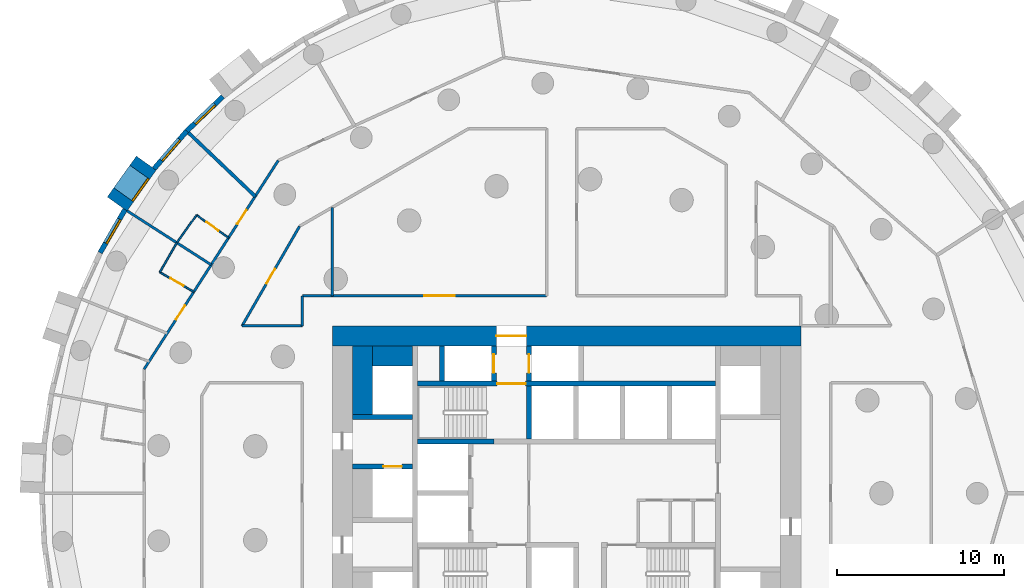
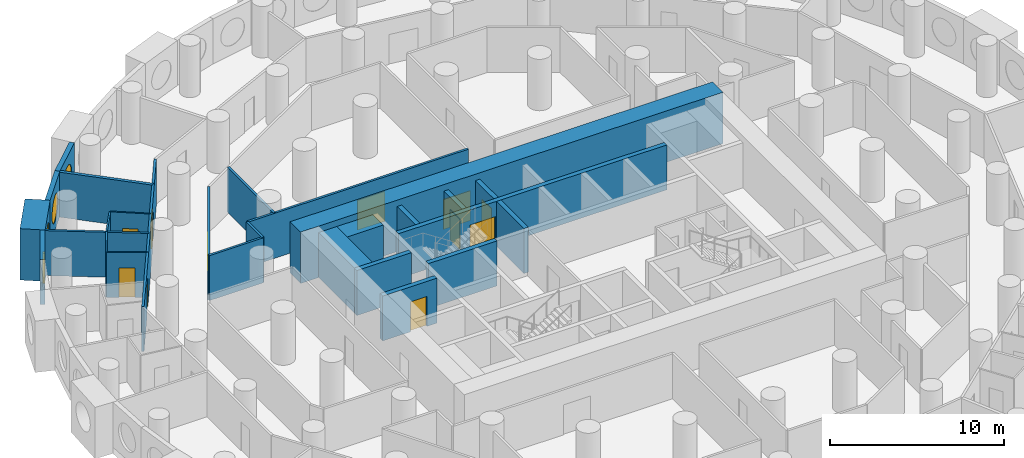
# One storey, part 7 of 11: 27 walls, 11 doors, 4 windows, 15 openings.
"""IFC4 building model written with IfcOpenShell, lengths in metres."""

from ifc_helpers import new_model, si_unit, direction, frame, frame_2d, origin, origin_2d, place, context, subcontext, project, spatial, rectangle, circle, extrude, material, layer, layer_set, type_object, element, fill, save


model = new_model("IFC4")

# Units and contexts
model_context = context("Model", 3, precision=1e-05, world=origin(), true_north=direction((0.0, 1.0)))
body_context = subcontext(model_context, "Body", "Model", "MODEL_VIEW")
ifc_project = project(units=[si_unit("LENGTHUNIT", "METRE"), si_unit("AREAUNIT", "SQUARE_METRE"), si_unit("VOLUMEUNIT", "CUBIC_METRE"), si_unit("PLANEANGLEUNIT", "RADIAN"), si_unit("MASSUNIT", "GRAM", prefix="KILO")], contexts=[model_context])

# Site, building, storey
site_placement = place(None, origin())
site = spatial("IfcSite", under=ifc_project, at=site_placement, CompositionType="ELEMENT")
building_placement = place(site_placement, origin())
building = spatial("IfcBuilding", under=site, at=building_placement, Name="Tracery Tower", CompositionType="ELEMENT")
storey_placement = place(building_placement, frame((0.0, 0.0, 67.800048828125)))
storey = spatial("IfcBuildingStorey", under=building, at=storey_placement, Name="L16", CompositionType="ELEMENT", Elevation=67.800048828125)

# Walls
ifc_material_1 = material(Name="Concrete C60/75", Category="concrete")
ifc_layer_1 = layer(ifc_material_1, 1.199951171875)
ifc_layer_set_1 = layer_set([ifc_layer_1], Name="Core strip wall 1200 C60")
wall_type_1 = type_object("IfcWallType", Name="Core strip wall 1200 C60", PredefinedType="SOLIDWALL", material=ifc_layer_set_1)
wall_1_placement = place(storey_placement, frame((-12.199951171875, 4.699951171875, 0.0), z_axis=(0.0, 0.0, 1.0), x_axis=(0.0, 1.0, 0.0)))
element("IfcWall", 1, at=wall_1_placement, inside=storey, type_object=wall_type_1, Name="L16 wing strip -1 4.55", PredefinedType="SOLIDWALL", context=body_context, shape_type="SweptSolid", body=[
    extrude(rectangle(XDim=4.10009765625, YDim=1.199951171875, at=frame_2d((2.050048828125, 0.0))), origin(), (0.0, 0.0, 1.0), 3.14990234375),
])
wall_2_placement = place(storey_placement, frame((-11.60009765625, 8.199951171875, 0.0), z_axis=(0.0, 0.0, 1.0), x_axis=(1.0, 0.0, 0.0)))
element("IfcWall", 2, at=wall_2_placement, inside=storey, type_object=wall_type_1, Name="L16 wing corner -1 +8.2", PredefinedType="SOLIDWALL", context=body_context, shape_type="SweptSolid", body=[
    extrude(rectangle(XDim=2.400146484375, YDim=1.199951171875, at=frame_2d((1.2001953125, 0.0))), origin(), (0.0, 0.0, 1.0), 3.14990234375),
])

# Wall, opening, door
ifc_material_2 = material(Name="Concrete C60/75", Category="concrete")
ifc_layer_2 = layer(ifc_material_2, 1.199951171875)
ifc_layer_set_2 = layer_set([ifc_layer_2], Name="Core wall 1200 C60")
wall_type_2 = type_object("IfcWallType", Name="Core wall 1200 C60", PredefinedType="SOLIDWALL", material=ifc_layer_set_2)
wall_3_placement = place(storey_placement, frame((-14.0, 9.39990234375, 0.0), z_axis=(0.0, 0.0, 1.0), x_axis=(1.0, 0.0, 0.0)))
wall_3 = element("IfcWall", 3, at=wall_3_placement, inside=storey, type_object=wall_type_2, Name="L16 outer N", PredefinedType="SOLIDWALL", context=body_context, shape_type="SweptSolid", body=[
    extrude(rectangle(XDim=28.0, YDim=1.199951171875, at=frame_2d((14.0, 0.0))), origin(), (0.0, 0.0, 1.0), 3.599853515625),
])
opening_1_placement = place(wall_3_placement, frame((9.800048828125, 0.0, 0.0)))
opening_1 = element("IfcOpeningElement", 4, at=opening_1_placement, cuts=wall_3, Name="Opening KD13", PredefinedType="OPENING", context=body_context, shape_type="SweptSolid", body=[
    extrude(rectangle(XDim=1.800048828125, YDim=2.10009765625, at=frame_2d((0.89990234375, 1.050048828125))), frame((0.0, 0.60009765625, 0.0), z_axis=(0.0, -1.0, 0.0), x_axis=(1.0, 0.0, 0.0)), (0.0, 0.0, 1.0), 1.199951171875),
])
ifc_material_3 = material(Name="Steel fire door", Category="steel")
door_type_1 = type_object("IfcDoorType", Name="Core exit door 1800 double", OperationType="NOTDEFINED", PredefinedType="DOOR", material=ifc_material_3)
door_1_placement = place(opening_1_placement, origin())
door_1 = element("IfcDoor", 5, at=door_1_placement, inside=storey, type_object=door_type_1, Name="Core exit door", OperationType="DOUBLE_DOOR_SINGLE_SWING", OverallHeight=2.10009765625, OverallWidth=1.800048828125, PredefinedType="DOOR", context=body_context, shape_type="SweptSolid", body=[
    extrude(rectangle(XDim=1.800048828125, YDim=2.10009765625, at=frame_2d((0.89990234375, 1.050048828125))), frame((0.0, 0.02490234375, 0.0), z_axis=(0.0, -1.0, 0.0), x_axis=(1.0, 0.0, 0.0)), (0.0, 0.0, 1.0), 0.050048828125),
])
fill(opening_1, door_1)

# Wall, opening, window
ifc_material_4 = material(Name="Precast concrete C50/60", Category="concrete")
ifc_layer_3 = layer(ifc_material_4, 1.449951171875)
ifc_layer_set_3 = layer_set([ifc_layer_3], Name="Deep-set bay unit 3000 x 3600, slab edge 450")
wall_type_3 = type_object("IfcWallType", Name="Deep-set bay unit 3000 x 3600, slab edge 450", PredefinedType="ELEMENTEDWALL", material=ifc_layer_set_3)
wall_4_placement = place(storey_placement, frame((-25.126220703125, 19.733642578125, -0.449951171875), z_axis=(0.0, 0.0, 1.0), x_axis=(-0.580090570606, -0.814551981088, 0.0)))
wall_4 = element("IfcWall", 6, at=wall_4_placement, inside=storey, type_object=wall_type_3, Name="Deep-set bay unit 27 at L16", PredefinedType="ELEMENTEDWALL", context=body_context, shape_type="SweptSolid", body=[
    extrude(rectangle(XDim=3.0, YDim=1.449951171875, at=frame_2d((1.5, 0.0))), origin(), (0.0, 0.0, 1.0), 3.599853515625),
])
opening_2_placement = place(wall_4_placement, frame((1.5, 0.0, 2.0)))
opening_2 = element("IfcOpeningElement", 7, at=opening_2_placement, cuts=wall_4, Name="Opening WN1", PredefinedType="OPENING", context=body_context, shape_type="SweptSolid", body=[
    extrude(circle(Radius=0.9000244140625, at=origin_2d()), frame((0.0, 0.73486328125, 0.0), z_axis=(0.0, -1.0, 0.0), x_axis=(1.0, 0.0, 0.0)), (0.0, 0.0, 1.0), 1.469970703125),
])
ifc_material_5 = material(Name="Aluminium frame with tinted double glazing", Category="aluminium")
window_type = type_object("IfcWindowType", Name="Round window 1800", PartitioningType="SINGLE_PANEL", PredefinedType="WINDOW", material=ifc_material_5)
window_1_placement = place(opening_2_placement, origin())
window_1 = element("IfcWindow", 8, at=window_1_placement, inside=storey, type_object=window_type, Name="Round window 27 at L16", OverallHeight=1.800048828125, OverallWidth=1.800048828125, PartitioningType="SINGLE_PANEL", PredefinedType="WINDOW", context=body_context, shape_type="SweptSolid", body=[
    extrude(circle(Radius=0.9000244140625, at=origin_2d()), frame((0.0, 0.69482421875, 0.0), z_axis=(0.0, -1.0, 0.0), x_axis=(1.0, 0.0, 0.0)), (0.0, 0.0, 1.0), 0.10009765625),
])
fill(opening_2, window_1)

ifc_material_6 = material(Name="Precast concrete C50/60", Category="concrete")
ifc_layer_4 = layer(ifc_material_6, 0.300048828125)
ifc_layer_set_4 = layer_set([ifc_layer_4], Name="Facade panel 3000 x 3150")
wall_type_4 = type_object("IfcWallType", Name="Facade panel 3000 x 3150", PredefinedType="SOLIDWALL", material=ifc_layer_set_4)
wall_5_placement = place(storey_placement, frame((-20.55029296875, 23.70703125, 0.0), z_axis=(0.0, 0.0, 1.0), x_axis=(-0.723744206617, -0.690068346896, 0.0)))
wall_5 = element("IfcWall", 9, at=wall_5_placement, inside=storey, type_object=wall_type_4, Name="Facade panel 25 at L16", PredefinedType="SOLIDWALL", context=body_context, shape_type="SweptSolid", body=[
    extrude(rectangle(XDim=2.979736328125, YDim=0.300048828125, at=frame_2d((1.48974609375, 0.0))), origin(), (0.0, 0.0, 1.0), 3.14990234375),
])
opening_3_placement = place(wall_5_placement, frame((1.48974609375, 0.0, 1.5498046875)))
opening_3 = element("IfcOpeningElement", 10, at=opening_3_placement, cuts=wall_5, Name="Opening WN1", PredefinedType="OPENING", context=body_context, shape_type="SweptSolid", body=[
    extrude(circle(Radius=0.9000244140625, at=origin_2d()), frame((0.0, 0.159912109375, 0.0), z_axis=(0.0, -1.0, 0.0), x_axis=(1.0, 0.0, 0.0)), (0.0, 0.0, 1.0), 0.320068359375),
])
window_2_placement = place(opening_3_placement, origin())
window_2 = element("IfcWindow", 11, at=window_2_placement, inside=storey, type_object=window_type, Name="Round window 25 at L16", OverallHeight=1.800048828125, OverallWidth=1.800048828125, PartitioningType="SINGLE_PANEL", PredefinedType="WINDOW", context=body_context, shape_type="SweptSolid", body=[
    extrude(circle(Radius=0.9000244140625, at=origin_2d()), frame((0.0, 0.1201171875, 0.0), z_axis=(0.0, -1.0, 0.0), x_axis=(1.0, 0.0, 0.0)), (0.0, 0.0, 1.0), 0.10009765625),
])
fill(opening_3, window_2)

wall_6_placement = place(storey_placement, frame((-22.706787109375, 21.65087890625, 0.0), z_axis=(0.0, 0.0, 1.0), x_axis=(-0.654830712471, -0.755775587066, 0.0)))
wall_6 = element("IfcWall", 12, at=wall_6_placement, inside=storey, type_object=wall_type_4, Name="Facade panel 26 at L16", PredefinedType="SOLIDWALL", context=body_context, shape_type="SweptSolid", body=[
    extrude(rectangle(XDim=2.979736328125, YDim=0.300048828125, at=frame_2d((1.48974609375, 0.0))), origin(), (0.0, 0.0, 1.0), 3.14990234375),
])
opening_4_placement = place(wall_6_placement, frame((1.48974609375, 0.0, 1.5498046875)))
opening_4 = element("IfcOpeningElement", 13, at=opening_4_placement, cuts=wall_6, Name="Opening WN1", PredefinedType="OPENING", context=body_context, shape_type="SweptSolid", body=[
    extrude(circle(Radius=0.9000244140625, at=origin_2d()), frame((0.0, 0.159912109375, 0.0), z_axis=(0.0, -1.0, 0.0), x_axis=(1.0, 0.0, 0.0)), (0.0, 0.0, 1.0), 0.320068359375),
])
window_3_placement = place(opening_4_placement, origin())
window_3 = element("IfcWindow", 14, at=window_3_placement, inside=storey, type_object=window_type, Name="Round window 26 at L16", OverallHeight=1.800048828125, OverallWidth=1.800048828125, PartitioningType="SINGLE_PANEL", PredefinedType="WINDOW", context=body_context, shape_type="SweptSolid", body=[
    extrude(circle(Radius=0.9000244140625, at=origin_2d()), frame((0.0, 0.1201171875, 0.0), z_axis=(0.0, -1.0, 0.0), x_axis=(1.0, 0.0, 0.0)), (0.0, 0.0, 1.0), 0.10009765625),
])
fill(opening_4, window_3)

wall_7_placement = place(storey_placement, frame((-26.39697265625, 16.95703125, 0.0), z_axis=(0.0, 0.0, 1.0), x_axis=(-0.499999078476, -0.866025935826, 0.0)))
wall_7 = element("IfcWall", 15, at=wall_7_placement, inside=storey, type_object=wall_type_4, Name="Facade panel 28 at L16", PredefinedType="SOLIDWALL", context=body_context, shape_type="SweptSolid", body=[
    extrude(rectangle(XDim=2.9794921875, YDim=0.300048828125, at=frame_2d((1.48974609375, 0.0))), origin(), (0.0, 0.0, 1.0), 3.14990234375),
])
opening_5_placement = place(wall_7_placement, frame((1.48974609375, 0.0, 1.5498046875)))
opening_5 = element("IfcOpeningElement", 16, at=opening_5_placement, cuts=wall_7, Name="Opening WN1", PredefinedType="OPENING", context=body_context, shape_type="SweptSolid", body=[
    extrude(circle(Radius=0.9000244140625, at=origin_2d()), frame((0.0, 0.159912109375, 0.0), z_axis=(0.0, -1.0, 0.0), x_axis=(1.0, 0.0, 0.0)), (0.0, 0.0, 1.0), 0.320068359375),
])
window_4_placement = place(opening_5_placement, origin())
window_4 = element("IfcWindow", 17, at=window_4_placement, inside=storey, type_object=window_type, Name="Round window 28 at L16", OverallHeight=1.800048828125, OverallWidth=1.800048828125, PartitioningType="SINGLE_PANEL", PredefinedType="WINDOW", context=body_context, shape_type="SweptSolid", body=[
    extrude(circle(Radius=0.9000244140625, at=origin_2d()), frame((0.0, 0.1201171875, 0.0), z_axis=(0.0, -1.0, 0.0), x_axis=(1.0, 0.0, 0.0)), (0.0, 0.0, 1.0), 0.10009765625),
])
fill(opening_5, window_4)

# Wall, opening, door
ifc_material_7 = material(Name="Plasterboard on steel studs", Category="steel")
ifc_layer_5 = layer(ifc_material_7, 0.10009765625)
ifc_layer_set_5 = layer_set([ifc_layer_5], Name="Partition 100 wet wall")
wall_type_5 = type_object("IfcWallType", Name="Partition 100 wet wall", PredefinedType="PARTITIONING", material=ifc_layer_set_5)
wall_8_placement = place(storey_placement, frame((-22.118896484375, 16.6279296875, 0.0), z_axis=(0.0, 0.0, 1.0), x_axis=(0.814498780807, -0.580165266165, 0.0)))
wall_8 = element("IfcWall", 18, at=wall_8_placement, inside=storey, type_object=wall_type_5, Name="Wet wall RA4-071", PredefinedType="PARTITIONING", context=body_context, shape_type="SweptSolid", body=[
    extrude(rectangle(XDim=2.347412109375, YDim=0.10009765625, at=frame_2d((1.173828125, 0.0))), origin(), (0.0, 0.0, 1.0), 3.14990234375),
])
opening_6_placement = place(wall_8_placement, frame((0.723388671875, 0.0, 0.0)))
opening_6 = element("IfcOpeningElement", 19, at=opening_6_placement, cuts=wall_8, Name="Opening RA4-18", PredefinedType="OPENING", context=body_context, shape_type="SweptSolid", body=[
    extrude(rectangle(XDim=0.89990234375, YDim=2.0400390625, at=frame_2d((0.449951171875, 1.02001953125))), frame((0.0, 0.050048828125, 0.0), z_axis=(0.0, -1.0, 0.0), x_axis=(1.0, 0.0, 0.0)), (0.0, 0.0, 1.0), 0.10009765625),
])
ifc_material_8 = material(Name="Timber door leaf", Category="wood")
door_type_2 = type_object("IfcDoorType", Name="Door en-suite 900", OperationType="NOTDEFINED", PredefinedType="DOOR", material=ifc_material_8)
door_2_placement = place(opening_6_placement, origin())
door_2 = element("IfcDoor", 20, at=door_2_placement, inside=storey, type_object=door_type_2, Name="En-suite door RA4-18", OperationType="SINGLE_SWING_RIGHT", OverallHeight=2.0400390625, OverallWidth=0.89990234375, PredefinedType="DOOR", context=body_context, shape_type="SweptSolid", body=[
    extrude(rectangle(XDim=0.89990234375, YDim=2.0400390625, at=frame_2d((0.449951171875, 1.02001953125))), frame((0.0, 0.02490234375, 0.0), z_axis=(0.0, -1.0, 0.0), x_axis=(1.0, 0.0, 0.0)), (0.0, 0.0, 1.0), 0.050048828125),
])
fill(opening_6, door_2)

# Walls
for number, where, z_axis, x_axis, name in (
    (21, (-23.298095703125, 14.972900390625, 0.0), (0.0, 0.0, 1.0), (0.580271800959, 0.81442288586, 0.0), "Wet wall RA4-072"),
    (22, (-24.31396484375, 13.212890625, 0.0), (0.0, 0.0, 1.0), (0.499899251727, 0.866083563014, 0.0), "Wet wall RA4-074"),
):
    element("IfcWall", number, at=place(storey_placement, frame(where, z_axis=z_axis, x_axis=x_axis)), inside=storey, type_object=wall_type_5, Name=name, PredefinedType="PARTITIONING", context=body_context, shape_type="SweptSolid", body=[
        extrude(rectangle(XDim=2.0322265625, YDim=0.10009765625, at=frame_2d((1.01611328125, 0.0))), origin(), (0.0, 0.0, 1.0), 3.14990234375),
    ])

# Wall, opening, door
wall_9_placement = place(storey_placement, frame((-24.31396484375, 13.212890625, 0.0), z_axis=(0.0, 0.0, 1.0), x_axis=(0.866007195875, -0.500031535699, 0.0)))
wall_9 = element("IfcWall", 23, at=wall_9_placement, inside=storey, type_object=wall_type_5, Name="Wet wall RA4-075", PredefinedType="PARTITIONING", context=body_context, shape_type="SweptSolid", body=[
    extrude(rectangle(XDim=2.347412109375, YDim=0.10009765625, at=frame_2d((1.173828125, 0.0))), origin(), (0.0, 0.0, 1.0), 3.14990234375),
])
opening_7_placement = place(wall_9_placement, frame((0.72412109375, 0.0, 0.0)))
opening_7 = element("IfcOpeningElement", 24, at=opening_7_placement, cuts=wall_9, Name="Opening RA4-20", PredefinedType="OPENING", context=body_context, shape_type="SweptSolid", body=[
    extrude(rectangle(XDim=0.89990234375, YDim=2.0400390625, at=frame_2d((0.449951171875, 1.02001953125))), frame((0.0, 0.050048828125, 0.0), z_axis=(0.0, -1.0, 0.0), x_axis=(1.0, 0.0, 0.0)), (0.0, 0.0, 1.0), 0.10009765625),
])
door_3_placement = place(opening_7_placement, origin())
door_3 = element("IfcDoor", 25, at=door_3_placement, inside=storey, type_object=door_type_2, Name="En-suite door RA4-20", OperationType="SINGLE_SWING_RIGHT", OverallHeight=2.0400390625, OverallWidth=0.89990234375, PredefinedType="DOOR", context=body_context, shape_type="SweptSolid", body=[
    extrude(rectangle(XDim=0.89990234375, YDim=2.0400390625, at=frame_2d((0.449951171875, 1.02001953125))), frame((0.0, 0.02490234375, 0.0), z_axis=(0.0, -1.0, 0.0), x_axis=(1.0, 0.0, 0.0)), (0.0, 0.0, 1.0), 0.050048828125),
])
fill(opening_7, door_3)

# Walls
ifc_material_9 = material(Name="Plasterboard on steel studs", Category="steel")
ifc_layer_6 = layer(ifc_material_9, 0.14990234375)
ifc_layer_set_6 = layer_set([ifc_layer_6], Name="Partition 150 acoustic unit wall")
wall_type_6 = type_object("IfcWallType", Name="Partition 150 acoustic unit wall", PredefinedType="PARTITIONING", material=ifc_layer_set_6)
wall_10_placement = place(storey_placement, frame((-14.0, 11.800048828125, 0.0), z_axis=(0.0, 0.0, 1.0), x_axis=(0.0, 1.0, 0.0)))
element("IfcWall", 26, at=wall_10_placement, inside=storey, type_object=wall_type_6, Name="Unit wall RA4-061", PredefinedType="PARTITIONING", context=body_context, shape_type="SweptSolid", body=[
    extrude(rectangle(XDim=5.2919921875, YDim=0.14990234375, at=frame_2d((2.64599609375, 0.0))), origin(), (0.0, 0.0, 1.0), 3.14990234375),
])
wall_11_placement = place(storey_placement, frame((-26.26806640625, 16.881103515625, 0.0), z_axis=(0.0, 0.0, 1.0), x_axis=(0.841333855553, -0.540515812443, 0.0)))
element("IfcWall", 27, at=wall_11_placement, inside=storey, type_object=wall_type_6, Name="Unit wall RA4-073", PredefinedType="PARTITIONING", context=body_context, shape_type="SweptSolid", body=[
    extrude(rectangle(XDim=5.9716796875, YDim=0.14990234375, at=frame_2d((2.98583984375, 0.0))), origin(), (0.0, 0.0, 1.0), 3.14990234375),
])

# Wall, opening, door
ifc_material_10 = material(Name="Plasterboard on steel studs", Category="steel")
ifc_layer_7 = layer(ifc_material_10, 0.14990234375)
ifc_layer_set_7 = layer_set([ifc_layer_7], Name="Partition 150 corridor wall")
wall_type_7 = type_object("IfcWallType", Name="Partition 150 corridor wall", PredefinedType="PARTITIONING", material=ifc_layer_set_7)
wall_12_placement = place(storey_placement, frame((-15.800048828125, 11.800048828125, 0.0), z_axis=(0.0, 0.0, 1.0), x_axis=(1.0, 0.0, 0.0)))
wall_12 = element("IfcWall", 28, at=wall_12_placement, inside=storey, type_object=wall_type_7, Name="Corridor wall RA4-001", PredefinedType="PARTITIONING", context=body_context, shape_type="SweptSolid", body=[
    extrude(rectangle(XDim=14.612060546875, YDim=0.14990234375, at=frame_2d((7.30615234375, 0.0))), origin(), (0.0, 0.0, 1.0), 3.14990234375),
])
opening_8_placement = place(wall_12_placement, frame((7.303955078125, 0.0, 0.0)))
opening_8 = element("IfcOpeningElement", 29, at=opening_8_placement, cuts=wall_12, Name="Opening RA4-01", PredefinedType="OPENING", context=body_context, shape_type="SweptSolid", body=[
    extrude(rectangle(XDim=1.800048828125, YDim=2.10009765625, at=frame_2d((0.89990234375, 1.050048828125))), frame((0.0, 0.074951171875, 0.0), z_axis=(0.0, -1.0, 0.0), x_axis=(1.0, 0.0, 0.0)), (0.0, 0.0, 1.0), 0.14990234375),
])
ifc_material_11 = material(Name="Timber door leaf", Category="wood")
door_type_3 = type_object("IfcDoorType", Name="Door double lounge 1800", OperationType="NOTDEFINED", PredefinedType="DOOR", material=ifc_material_11)
door_4_placement = place(opening_8_placement, origin())
door_4 = element("IfcDoor", 30, at=door_4_placement, inside=storey, type_object=door_type_3, Name="Double lounge door RA4-01", OperationType="DOUBLE_DOOR_SINGLE_SWING", OverallHeight=2.10009765625, OverallWidth=1.800048828125, PredefinedType="DOOR", context=body_context, shape_type="SweptSolid", body=[
    extrude(rectangle(XDim=1.800048828125, YDim=2.10009765625, at=frame_2d((0.89990234375, 1.050048828125))), frame((0.0, 0.02490234375, 0.0), z_axis=(0.0, -1.0, 0.0), x_axis=(1.0, 0.0, 0.0)), (0.0, 0.0, 1.0), 0.050048828125),
])
fill(opening_8, door_4)

# Wall
wall_13_placement = place(storey_placement, frame((-15.800048828125, 10.0, 0.0), z_axis=(0.0, 0.0, 1.0), x_axis=(0.0, 1.0, 0.0)))
element("IfcWall", 31, at=wall_13_placement, inside=storey, type_object=wall_type_7, Name="Corridor wall RA4-005", PredefinedType="PARTITIONING", context=body_context, shape_type="SweptSolid", body=[
    extrude(rectangle(XDim=1.800048828125, YDim=0.14990234375, at=frame_2d((0.89990234375, 0.0))), origin(), (0.0, 0.0, 1.0), 3.14990234375),
])

# Wall, openings, doors
wall_14_placement = place(storey_placement, frame((-25.2548828125, 7.416259765625, 0.0), z_axis=(0.0, 0.0, 1.0), x_axis=(0.540805851332, 0.841147449123, 0.0)))
wall_14 = element("IfcWall", 32, at=wall_14_placement, inside=storey, type_object=wall_type_7, Name="Corridor wall RA4-037", PredefinedType="PARTITIONING", context=body_context, shape_type="SweptSolid", body=[
    extrude(rectangle(XDim=14.829345703125, YDim=0.14990234375, at=frame_2d((7.41455078125, 0.0))), origin(), (0.0, 0.0, 1.0), 3.14990234375),
])
opening_9_placement = place(wall_14_placement, frame((10.30712890625, 0.0, 0.0)))
opening_9 = element("IfcOpeningElement", 33, at=opening_9_placement, cuts=wall_14, Name="Opening RA4-19", PredefinedType="OPENING", context=body_context, shape_type="SweptSolid", body=[
    extrude(rectangle(XDim=1.0, YDim=2.10009765625, at=frame_2d((0.5, 1.050048828125))), frame((0.0, 0.074951171875, 0.0), z_axis=(0.0, -1.0, 0.0), x_axis=(1.0, 0.0, 0.0)), (0.0, 0.0, 1.0), 0.14990234375),
])
opening_10_placement = place(wall_14_placement, frame((3.521728515625, 0.0, 0.0)))
opening_10 = element("IfcOpeningElement", 34, at=opening_10_placement, cuts=wall_14, Name="Opening RA4-21", PredefinedType="OPENING", context=body_context, shape_type="SweptSolid", body=[
    extrude(rectangle(XDim=1.0, YDim=2.10009765625, at=frame_2d((0.5, 1.050048828125))), frame((0.0, 0.074951171875, 0.0), z_axis=(0.0, -1.0, 0.0), x_axis=(1.0, 0.0, 0.0)), (0.0, 0.0, 1.0), 0.14990234375),
])
ifc_material_12 = material(Name="Timber door leaf", Category="wood")
door_type_4 = type_object("IfcDoorType", Name="Door unit entrance 1000", OperationType="NOTDEFINED", PredefinedType="DOOR", material=ifc_material_12)
door_5_placement = place(opening_9_placement, origin())
door_5 = element("IfcDoor", 35, at=door_5_placement, inside=storey, type_object=door_type_4, Name="Unit entrance door RA4-19", OperationType="SINGLE_SWING_LEFT", OverallHeight=2.10009765625, OverallWidth=1.0, PredefinedType="DOOR", context=body_context, shape_type="SweptSolid", body=[
    extrude(rectangle(XDim=1.0, YDim=2.10009765625, at=frame_2d((0.5, 1.050048828125))), frame((0.0, 0.02490234375, 0.0), z_axis=(0.0, -1.0, 0.0), x_axis=(1.0, 0.0, 0.0)), (0.0, 0.0, 1.0), 0.050048828125),
])
fill(opening_9, door_5)
door_6_placement = place(opening_10_placement, origin())
door_6 = element("IfcDoor", 36, at=door_6_placement, inside=storey, type_object=door_type_4, Name="Unit entrance door RA4-21", OperationType="SINGLE_SWING_LEFT", OverallHeight=2.10009765625, OverallWidth=1.0, PredefinedType="DOOR", context=body_context, shape_type="SweptSolid", body=[
    extrude(rectangle(XDim=1.0, YDim=2.10009765625, at=frame_2d((0.5, 1.050048828125))), frame((0.0, 0.02490234375, 0.0), z_axis=(0.0, -1.0, 0.0), x_axis=(1.0, 0.0, 0.0)), (0.0, 0.0, 1.0), 0.050048828125),
])
fill(opening_10, door_6)

# Wall, opening, door
wall_15_placement = place(storey_placement, frame((-19.40087890625, 10.0, 0.0), z_axis=(0.0, 0.0, 1.0), x_axis=(0.499992689227, 0.86602962462, 0.0)))
wall_15 = element("IfcWall", 37, at=wall_15_placement, inside=storey, type_object=wall_type_7, Name="Corridor wall RA4-043", PredefinedType="PARTITIONING", context=body_context, shape_type="SweptSolid", body=[
    extrude(rectangle(XDim=6.8818359375, YDim=0.14990234375, at=frame_2d((3.44091796875, 0.0))), origin(), (0.0, 0.0, 1.0), 3.14990234375),
])
opening_11_placement = place(wall_15_placement, frame((2.94091796875, 0.0, 0.0)))
opening_11 = element("IfcOpeningElement", 38, at=opening_11_placement, cuts=wall_15, Name="Opening RA4-11", PredefinedType="OPENING", context=body_context, shape_type="SweptSolid", body=[
    extrude(rectangle(XDim=1.0, YDim=2.0400390625, at=frame_2d((0.5, 1.02001953125))), frame((0.0, 0.074951171875, 0.0), z_axis=(0.0, -1.0, 0.0), x_axis=(1.0, 0.0, 0.0)), (0.0, 0.0, 1.0), 0.14990234375),
])
ifc_material_13 = material(Name="Timber door leaf", Category="wood")
door_type_5 = type_object("IfcDoorType", Name="Door communal room 1000", OperationType="NOTDEFINED", PredefinedType="DOOR", material=ifc_material_13)
door_7_placement = place(opening_11_placement, origin())
door_7 = element("IfcDoor", 39, at=door_7_placement, inside=storey, type_object=door_type_5, Name="Communal room door RA4-11", OperationType="SINGLE_SWING_LEFT", OverallHeight=2.0400390625, OverallWidth=1.0, PredefinedType="DOOR", context=body_context, shape_type="SweptSolid", body=[
    extrude(rectangle(XDim=1.0, YDim=2.0400390625, at=frame_2d((0.5, 1.02001953125))), frame((0.0, 0.02490234375, 0.0), z_axis=(0.0, -1.0, 0.0), x_axis=(1.0, 0.0, 0.0)), (0.0, 0.0, 1.0), 0.050048828125),
])
fill(opening_11, door_7)

# Walls
wall_16_placement = place(storey_placement, frame((-19.40087890625, 10.0, 0.0), z_axis=(0.0, 0.0, 1.0), x_axis=(1.0, 0.0, 0.0)))
element("IfcWall", 40, at=wall_16_placement, inside=storey, type_object=wall_type_7, Name="Corridor wall RA4-044", PredefinedType="PARTITIONING", context=body_context, shape_type="SweptSolid", body=[
    extrude(rectangle(XDim=3.600830078125, YDim=0.14990234375, at=frame_2d((1.80029296875, 0.0))), origin(), (0.0, 0.0, 1.0), 3.14990234375),
])
ifc_material_14 = material(Name="Plasterboard on steel studs", Category="steel")
ifc_layer_8 = layer(ifc_material_14, 0.199951171875)
ifc_layer_set_8 = layer_set([ifc_layer_8], Name="Partition 200 compartment wall")
wall_type_8 = type_object("IfcWallType", Name="Partition 200 compartment wall", PredefinedType="PARTITIONING", material=ifc_layer_set_8)
wall_17_placement = place(storey_placement, frame((-22.597900390625, 21.547119140625, 0.0), z_axis=(0.0, 0.0, 1.0), x_axis=(0.723689650329, -0.690125561044, 0.0)))
element("IfcWall", 41, at=wall_17_placement, inside=storey, type_object=wall_type_8, Name="Compartment wall RA4-070", PredefinedType="PARTITIONING", context=body_context, shape_type="SweptSolid", body=[
    extrude(rectangle(XDim=5.50634765625, YDim=0.199951171875, at=frame_2d((2.753173828125, 0.0))), origin(), (0.0, 0.0, 1.0), 3.14990234375),
])
ifc_material_15 = material(Name="Concrete C60/75", Category="concrete")
ifc_layer_9 = layer(ifc_material_15, 0.300048828125)
ifc_layer_set_9 = layer_set([ifc_layer_9], Name="Shaft wall 300 C60")
wall_type_9 = type_object("IfcWallType", Name="Shaft wall 300 C60", PredefinedType="SOLIDWALL", material=ifc_layer_set_9)
wall_18_placement = place(storey_placement, frame((-7.449951171875, 6.699951171875, 0.0), z_axis=(0.0, 0.0, 1.0), x_axis=(0.0, 1.0, 0.0)))
element("IfcWall", 42, at=wall_18_placement, inside=storey, type_object=wall_type_9, Name="L16 LR sep -7.45", PredefinedType="SOLIDWALL", context=body_context, shape_type="SweptSolid", body=[
    extrude(rectangle(XDim=2.10009765625, YDim=0.300048828125, at=frame_2d((1.050048828125, 0.0))), origin(), (0.0, 0.0, 1.0), 3.14990234375),
])

# Wall, opening, door
wall_19_placement = place(storey_placement, frame((-4.35009765625, 6.699951171875, 0.0), z_axis=(0.0, 0.0, 1.0), x_axis=(0.0, 1.0, 0.0)))
wall_19 = element("IfcWall", 43, at=wall_19_placement, inside=storey, type_object=wall_type_9, Name="L16 LR sep -4.35", PredefinedType="SOLIDWALL", context=body_context, shape_type="SweptSolid", body=[
    extrude(rectangle(XDim=2.10009765625, YDim=0.300048828125, at=frame_2d((1.050048828125, 0.0))), origin(), (0.0, 0.0, 1.0), 3.14990234375),
])
opening_12_placement = place(wall_19_placement, frame((0.5, 0.0, 0.0)))
opening_12 = element("IfcOpeningElement", 44, at=opening_12_placement, cuts=wall_19, Name="Opening KD50", PredefinedType="OPENING", context=body_context, shape_type="SweptSolid", body=[
    extrude(rectangle(XDim=1.10009765625, YDim=2.10009765625, at=frame_2d((0.550048828125, 1.050048828125))), frame((0.0, 0.14990234375, 0.0), z_axis=(0.0, -1.0, 0.0), x_axis=(1.0, 0.0, 0.0)), (0.0, 0.0, 1.0), 0.300048828125),
])
ifc_material_16 = material(Name="Steel fire door", Category="steel")
door_type_6 = type_object("IfcDoorType", Name="Landing door 1100", OperationType="NOTDEFINED", PredefinedType="DOOR", material=ifc_material_16)
door_8_placement = place(opening_12_placement, origin())
door_8 = element("IfcDoor", 45, at=door_8_placement, inside=storey, type_object=door_type_6, Name="Landing door LR3", OperationType="SLIDING_TO_RIGHT", OverallHeight=2.10009765625, OverallWidth=1.10009765625, PredefinedType="DOOR", context=body_context, shape_type="SweptSolid", body=[
    extrude(rectangle(XDim=1.10009765625, YDim=2.10009765625, at=frame_2d((0.550048828125, 1.050048828125))), frame((0.0, 0.02490234375, 0.0), z_axis=(0.0, -1.0, 0.0), x_axis=(1.0, 0.0, 0.0)), (0.0, 0.0, 1.0), 0.050048828125),
])
fill(opening_12, door_8)

# Wall
wall_20_placement = place(storey_placement, frame((-12.800048828125, 4.550048828125, 0.0), z_axis=(0.0, 0.0, 1.0), x_axis=(1.0, 0.0, 0.0)))
element("IfcWall", 46, at=wall_20_placement, inside=storey, type_object=wall_type_9, Name="L16 wing shaft wall -1 +4.55", PredefinedType="SOLIDWALL", context=body_context, shape_type="SweptSolid", body=[
    extrude(rectangle(XDim=3.60009765625, YDim=0.300048828125, at=frame_2d((1.800048828125, 0.0))), origin(), (0.0, 0.0, 1.0), 3.14990234375),
])

# Wall, opening, door
wall_21_placement = place(storey_placement, frame((-12.800048828125, 1.60009765625, 0.0), z_axis=(0.0, 0.0, 1.0), x_axis=(1.0, 0.0, 0.0)))
wall_21 = element("IfcWall", 47, at=wall_21_placement, inside=storey, type_object=wall_type_9, Name="L16 wing shaft wall -1 +1.60", PredefinedType="SOLIDWALL", context=body_context, shape_type="SweptSolid", body=[
    extrude(rectangle(XDim=3.60009765625, YDim=0.300048828125, at=frame_2d((1.800048828125, 0.0))), origin(), (0.0, 0.0, 1.0), 3.14990234375),
])
opening_13_placement = place(wall_21_placement, frame((1.85009765625, 0.0, 0.0)))
opening_13 = element("IfcOpeningElement", 48, at=opening_13_placement, cuts=wall_21, Name="Opening KD50", PredefinedType="OPENING", context=body_context, shape_type="SweptSolid", body=[
    extrude(rectangle(XDim=1.10009765625, YDim=2.10009765625, at=frame_2d((0.550048828125, 1.050048828125))), frame((0.0, 0.14990234375, 0.0), z_axis=(0.0, -1.0, 0.0), x_axis=(1.0, 0.0, 0.0)), (0.0, 0.0, 1.0), 0.300048828125),
])
door_9_placement = place(opening_13_placement, origin())
door_9 = element("IfcDoor", 49, at=door_9_placement, inside=storey, type_object=door_type_6, Name="Landing door LR1", OperationType="SLIDING_TO_RIGHT", OverallHeight=2.10009765625, OverallWidth=1.10009765625, PredefinedType="DOOR", context=body_context, shape_type="SweptSolid", body=[
    extrude(rectangle(XDim=1.10009765625, YDim=2.10009765625, at=frame_2d((0.550048828125, 1.050048828125))), frame((0.0, 0.02490234375, 0.0), z_axis=(0.0, -1.0, 0.0), x_axis=(1.0, 0.0, 0.0)), (0.0, 0.0, 1.0), 0.050048828125),
])
fill(opening_13, door_9)

# Walls
ifc_material_17 = material(Name="Concrete C60/75", Category="concrete")
ifc_layer_10 = layer(ifc_material_17, 0.300048828125)
ifc_layer_set_10 = layer_set([ifc_layer_10], Name="Stair wall 300 C60")
wall_type_10 = type_object("IfcWallType", Name="Stair wall 300 C60", PredefinedType="SOLIDWALL", material=ifc_layer_set_10)
wall_22_placement = place(storey_placement, frame((-8.89990234375, 3.10009765625, 0.0), z_axis=(0.0, 0.0, 1.0), x_axis=(1.0, 0.0, 0.0)))
element("IfcWall", 50, at=wall_22_placement, inside=storey, type_object=wall_type_10, Name="L16 row N W", PredefinedType="SOLIDWALL", context=body_context, shape_type="SweptSolid", body=[
    extrude(rectangle(XDim=4.5498046875, YDim=0.300048828125, at=frame_2d((2.27490234375, 0.0))), origin(), (0.0, 0.0, 1.0), 3.14990234375),
])
wall_23_placement = place(storey_placement, frame((-2.25, 3.25, 0.0), z_axis=(0.0, 0.0, 1.0), x_axis=(0.0, 1.0, 0.0)))
element("IfcWall", 51, at=wall_23_placement, inside=storey, type_object=wall_type_10, Name="L16 ST3 E", PredefinedType="SOLIDWALL", context=body_context, shape_type="SweptSolid", body=[
    extrude(rectangle(XDim=3.14990234375, YDim=0.300048828125, at=frame_2d((1.574951171875, 0.0))), origin(), (0.0, 0.0, 1.0), 3.14990234375),
])

# Wall, opening, door
wall_24_placement = place(storey_placement, frame((-8.89990234375, 6.550048828125, 0.0), z_axis=(0.0, 0.0, 1.0), x_axis=(1.0, 0.0, 0.0)))
wall_24 = element("IfcWall", 52, at=wall_24_placement, inside=storey, type_object=wall_type_10, Name="L16 F N", PredefinedType="SOLIDWALL", context=body_context, shape_type="SweptSolid", body=[
    extrude(rectangle(XDim=17.7998046875, YDim=0.300048828125, at=frame_2d((8.89990234375, 0.0))), origin(), (0.0, 0.0, 1.0), 3.14990234375),
])
opening_14_placement = place(wall_24_placement, frame((4.75, 0.0, 0.0)))
opening_14 = element("IfcOpeningElement", 53, at=opening_14_placement, cuts=wall_24, Name="Opening KD3", PredefinedType="OPENING", context=body_context, shape_type="SweptSolid", body=[
    extrude(rectangle(XDim=1.699951171875, YDim=2.10009765625, at=frame_2d((0.85009765625, 1.050048828125))), frame((0.0, 0.14990234375, 0.0), z_axis=(0.0, -1.0, 0.0), x_axis=(1.0, 0.0, 0.0)), (0.0, 0.0, 1.0), 0.300048828125),
])
ifc_material_18 = material(Name="Steel fire door", Category="steel")
door_type_7 = type_object("IfcDoorType", Name="Core stair door 1700 double", OperationType="NOTDEFINED", PredefinedType="DOOR", material=ifc_material_18)
door_10_placement = place(opening_14_placement, origin())
door_10 = element("IfcDoor", 54, at=door_10_placement, inside=storey, type_object=door_type_7, Name="Stair door ST3 N", OperationType="DOUBLE_DOOR_SINGLE_SWING", OverallHeight=2.10009765625, OverallWidth=1.699951171875, PredefinedType="DOOR", context=body_context, shape_type="SweptSolid", body=[
    extrude(rectangle(XDim=1.699951171875, YDim=2.10009765625, at=frame_2d((0.85009765625, 1.050048828125))), frame((0.0, 0.02490234375, 0.0), z_axis=(0.0, -1.0, 0.0), x_axis=(1.0, 0.0, 0.0)), (0.0, 0.0, 1.0), 0.050048828125),
])
fill(opening_14, door_10)

wall_25_placement = place(storey_placement, frame((-2.25, 6.699951171875, 0.0), z_axis=(0.0, 0.0, 1.0), x_axis=(0.0, 1.0, 0.0)))
wall_25 = element("IfcWall", 55, at=wall_25_placement, inside=storey, type_object=wall_type_10, Name="L16 ST3 E out", PredefinedType="SOLIDWALL", context=body_context, shape_type="SweptSolid", body=[
    extrude(rectangle(XDim=2.10009765625, YDim=0.300048828125, at=frame_2d((1.050048828125, 0.0))), origin(), (0.0, 0.0, 1.0), 3.14990234375),
])
opening_15_placement = place(wall_25_placement, frame((0.5, 0.0, 0.0)))
opening_15 = element("IfcOpeningElement", 56, at=opening_15_placement, cuts=wall_25, Name="Opening KD49", PredefinedType="OPENING", context=body_context, shape_type="SweptSolid", body=[
    extrude(rectangle(XDim=1.10009765625, YDim=2.10009765625, at=frame_2d((0.550048828125, 1.050048828125))), frame((0.0, 0.14990234375, 0.0), z_axis=(0.0, -1.0, 0.0), x_axis=(1.0, 0.0, 0.0)), (0.0, 0.0, 1.0), 0.300048828125),
])
door_11_placement = place(opening_15_placement, origin())
door_11 = element("IfcDoor", 57, at=door_11_placement, inside=storey, type_object=door_type_6, Name="Landing door LR2", OperationType="SLIDING_TO_LEFT", OverallHeight=2.10009765625, OverallWidth=1.10009765625, PredefinedType="DOOR", context=body_context, shape_type="SweptSolid", body=[
    extrude(rectangle(XDim=1.10009765625, YDim=2.10009765625, at=frame_2d((0.550048828125, 1.050048828125))), frame((0.0, 0.02490234375, 0.0), z_axis=(0.0, -1.0, 0.0), x_axis=(1.0, 0.0, 0.0)), (0.0, 0.0, 1.0), 0.050048828125),
])
fill(opening_15, door_11)

save(model, "model.ifc")
